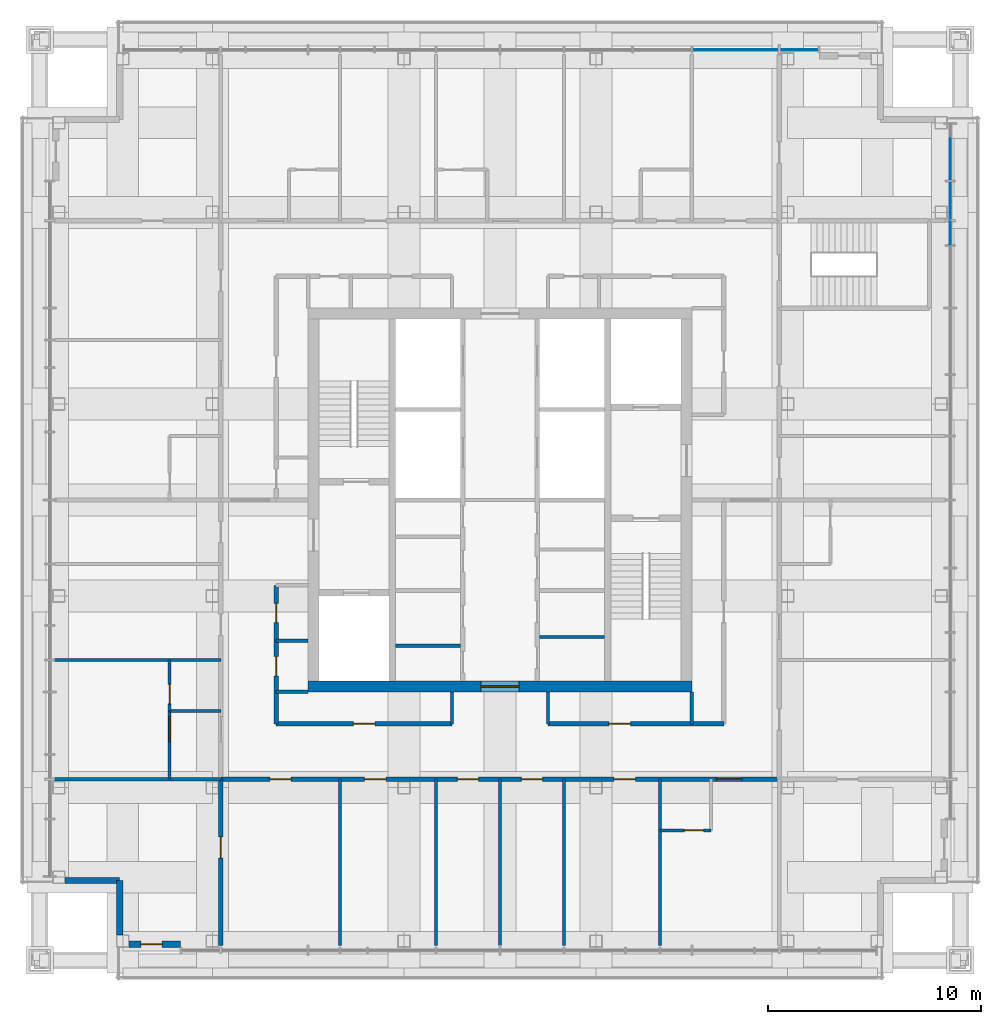
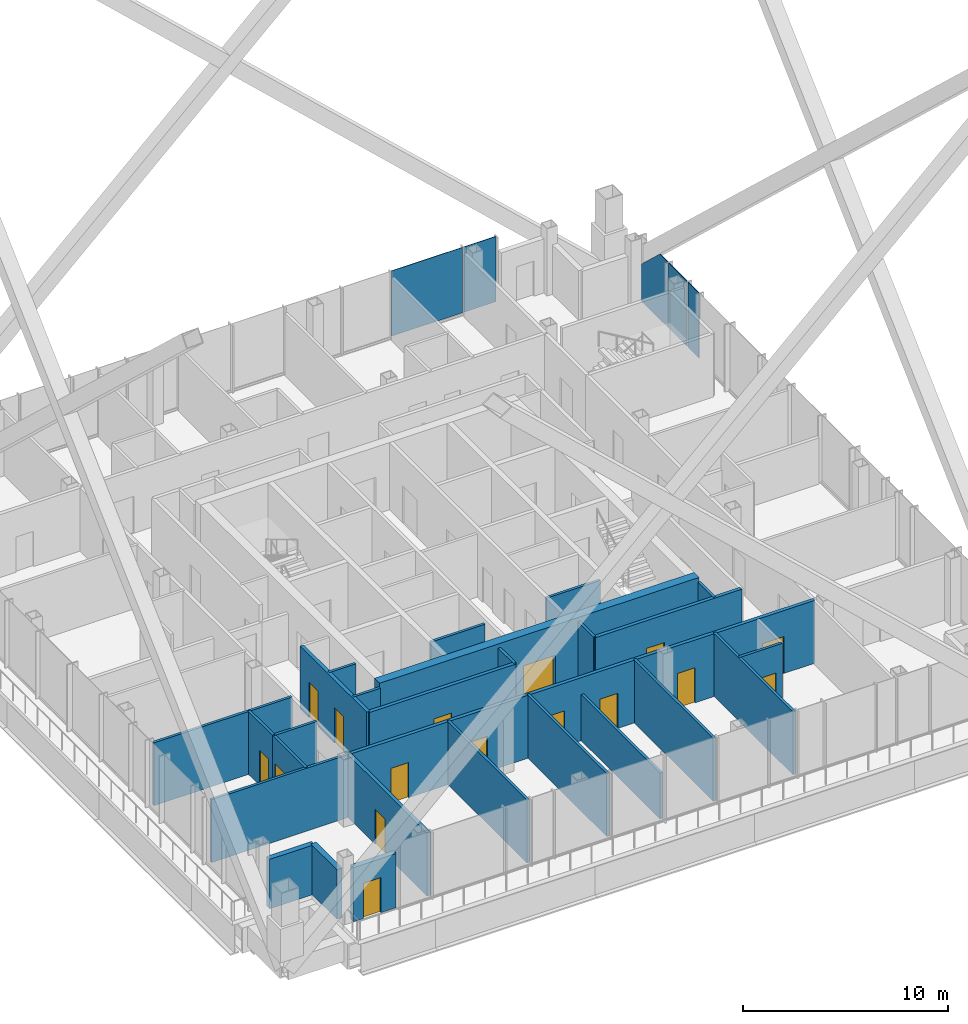
# One storey, part 12 of 19: 27 walls, 16 doors, 5 plates, 16 openings, 2 elements without a shape of their own.
"""IFC4 building model written with IfcOpenShell, lengths in metres."""

from ifc_helpers import new_model, si_unit, direction, frame, frame_2d, origin, origin_2d, place, context, subcontext, project, spatial, polyline, rectangle, outline, extrude, material, layer, layer_set, type_object, element, fill, aggregate, save


model = new_model("IFC4")

# Units and contexts
model_context = context("Model", 3, precision=1e-05, world=origin(), true_north=direction((0.0, 1.0)))
body_context = subcontext(model_context, "Body", "Model", "MODEL_VIEW")
ifc_project = project(units=[si_unit("LENGTHUNIT", "METRE"), si_unit("AREAUNIT", "SQUARE_METRE"), si_unit("VOLUMEUNIT", "CUBIC_METRE"), si_unit("PLANEANGLEUNIT", "RADIAN"), si_unit("MASSUNIT", "GRAM", prefix="KILO")], contexts=[model_context])

# Site, building, storey
site_placement = place(None, origin())
site = spatial("IfcSite", under=ifc_project, at=site_placement, CompositionType="ELEMENT")
building_placement = place(site_placement, origin())
building = spatial("IfcBuilding", under=site, at=building_placement, Name="Malebo Sky Hospital", CompositionType="ELEMENT")
storey_placement = place(building_placement, frame((0.0, 0.0, 250.0)))
storey = spatial("IfcBuildingStorey", under=building, at=storey_placement, Name="L60", CompositionType="ELEMENT", Elevation=250.0)

# Curtain wall, plates
ifc_material_1 = material(Name="Anodised aluminium, natural silver", Category="aluminium")
ifc_layer_1 = layer(ifc_material_1, 0.25)
ifc_layer_set_1 = layer_set([ifc_layer_1], Name="WARD CURTAIN WALL NORTH AND SOUTH")
curtain_wall_type_1 = type_object("IfcCurtainWallType", Name="WARD CURTAIN WALL NORTH AND SOUTH", PredefinedType="NOTDEFINED", material=ifc_layer_set_1)
curtain_wall_1_placement = place(storey_placement, origin())
curtain_wall_1 = element("IfcCurtainWall", 1, at=curtain_wall_1_placement, inside=storey, type_object=curtain_wall_type_1, Name="NS curtain wall N", PredefinedType="NOTDEFINED")
ifc_material_2 = material(Name="Clear low-iron double glazing", Category="glass")
ifc_layer_2 = layer(ifc_material_2, 0.031982421875)
ifc_layer_set_2 = layer_set([ifc_layer_2], Name="VISION PANEL CLEAR 32")
plate_type = type_object("IfcPlateType", Name="VISION PANEL CLEAR 32", PredefinedType="CURTAIN_PANEL", material=ifc_layer_set_2)
plate_1_placement = place(storey_placement, frame((71.050048828125, 83.125, 0.10009765625), z_axis=(0.0, 0.0, 1.0), x_axis=(1.0, 0.0, 0.0)))
plate_1 = element("IfcPlate", 2, at=plate_1_placement, type_object=plate_type, Name="Panel 12", PredefinedType="CURTAIN_PANEL", context=body_context, shape_type="SweptSolid", body=[
    extrude(rectangle(XDim=4.02490234375, YDim=0.031982421875, at=origin_2d()), origin(), (0.0, 0.0, 1.0), 3.889892578125),
])
plate_2_placement = place(storey_placement, frame((74.03125, 83.125, 0.10009765625), z_axis=(0.0, 0.0, 1.0), x_axis=(1.0, 0.0, 0.0)))
plate_2 = element("IfcPlate", 3, at=plate_2_placement, type_object=plate_type, Name="Panel 13", PredefinedType="CURTAIN_PANEL", context=body_context, shape_type="SweptSolid", body=[
    extrude(rectangle(XDim=1.78759765625, YDim=0.031982421875, at=origin_2d()), origin(), (0.0, 0.0, 1.0), 3.889892578125),
])
aggregate(curtain_wall_1, [plate_1, plate_2])

ifc_layer_3 = layer(ifc_material_1, 0.25)
ifc_layer_set_3 = layer_set([ifc_layer_3], Name="WARD CURTAIN WALL EAST AND WEST")
curtain_wall_type_2 = type_object("IfcCurtainWallType", Name="WARD CURTAIN WALL EAST AND WEST", PredefinedType="NOTDEFINED", material=ifc_layer_set_3)
curtain_wall_2_placement = place(storey_placement, origin())
curtain_wall_2 = element("IfcCurtainWall", 4, at=curtain_wall_2_placement, inside=storey, type_object=curtain_wall_type_2, Name="EW curtain wall E", PredefinedType="NOTDEFINED")
plate_3_placement = place(storey_placement, frame((81.125, 78.317626953125, 0.10009765625), z_axis=(0.0, 0.0, 1.0), x_axis=(0.0, -1.0, 0.0)))
plate_3 = element("IfcPlate", 5, at=plate_3_placement, type_object=plate_type, Name="Panel 1", PredefinedType="CURTAIN_PANEL", context=body_context, shape_type="SweptSolid", body=[
    extrude(outline(polyline([(-1.307373046875, 0.0), (1.307373046875, 0.0), (1.307373046875, 3.889892578125), (0.50927734375, 3.889892578125), (-1.307373046875, 2.18896484375), (-1.307373046875, 0.0)])), frame((0.0, 0.01611328125, 0.0), z_axis=(0.0, -1.0, 0.0), x_axis=(1.0, 0.0, 0.0)), (0.0, 0.0, 1.0), 0.031982421875),
])
plate_4_placement = place(storey_placement, frame((81.125, 76.036376953125, 0.10009765625), z_axis=(0.0, 0.0, 1.0), x_axis=(0.0, -1.0, 0.0)))
plate_4 = element("IfcPlate", 6, at=plate_4_placement, type_object=plate_type, Name="Panel 2", PredefinedType="CURTAIN_PANEL", context=body_context, shape_type="SweptSolid", body=[
    extrude(rectangle(XDim=1.797607421875, YDim=0.031982421875, at=origin_2d()), origin(), (0.0, 0.0, 1.0), 3.889892578125),
])
plate_5_placement = place(storey_placement, frame((81.125, 74.522705078125, 0.10009765625), z_axis=(0.0, 0.0, 1.0), x_axis=(0.0, -1.0, 0.0)))
plate_5 = element("IfcPlate", 7, at=plate_5_placement, type_object=plate_type, Name="Panel 3", PredefinedType="CURTAIN_PANEL", context=body_context, shape_type="SweptSolid", body=[
    extrude(rectangle(XDim=1.07958984375, YDim=0.031982421875, at=origin_2d()), origin(), (0.0, 0.0, 1.0), 3.889892578125),
])
aggregate(curtain_wall_2, [plate_3, plate_4, plate_5])

# Wall, opening, door
ifc_material_3 = material(Name="Concrete C80/95", Category="concrete")
ifc_layer_4 = layer(ifc_material_3, 0.5)
ifc_layer_set_4 = layer_set([ifc_layer_4], Name="CORE WALL 500")
wall_type_1 = type_object("IfcWallType", Name="CORE WALL 500", PredefinedType="SHEAR", material=ifc_layer_set_4)
wall_1_placement = place(storey_placement, frame((51.0, 53.25, 0.0), z_axis=(0.0, 0.0, 1.0), x_axis=(1.0, 0.0, 0.0)))
wall_1 = element("IfcWall", 8, at=wall_1_placement, inside=storey, type_object=wall_type_1, Name="Core wall S L60", PredefinedType="SHEAR", context=body_context, shape_type="SweptSolid", body=[
    extrude(rectangle(XDim=18.0, YDim=0.5, at=frame_2d((9.0, 0.0))), origin(), (0.0, 0.0, 1.0), 4.0),
])
opening_1_placement = place(wall_1_placement, frame((8.10009765625, 0.0, 0.0)))
opening_1 = element("IfcOpeningElement", 9, at=opening_1_placement, cuts=wall_1, Name="Opening D06", PredefinedType="OPENING", context=body_context, shape_type="SweptSolid", body=[
    extrude(rectangle(XDim=1.800048828125, YDim=2.199951171875, at=frame_2d((0.89990234375, 1.10009765625))), frame((0.0, 0.260009765625, 0.0), z_axis=(0.0, -1.0, 0.0), x_axis=(1.0, 0.0, 0.0)), (0.0, 0.0, 1.0), 0.52001953125),
])
ifc_material_4 = material(Name="Hardwood-faced door leaf in steel frame", Category="steel")
door_type_1 = type_object("IfcDoorType", Name="LOBBY DOOR PAIR 1800", OperationType="DOUBLE_DOOR_SINGLE_SWING", PredefinedType="DOOR", material=ifc_material_4)
door_1_placement = place(opening_1_placement, origin())
door_1 = element("IfcDoor", 10, at=door_1_placement, inside=storey, type_object=door_type_1, Name="Service lobby door south", OperationType="DOUBLE_DOOR_SINGLE_SWING", OverallHeight=2.199951171875, OverallWidth=1.800048828125, PredefinedType="DOOR", context=body_context, shape_type="SweptSolid", body=[
    extrude(rectangle(XDim=1.800048828125, YDim=2.199951171875, at=frame_2d((0.89990234375, 1.10009765625))), frame((0.0, 0.02490234375, 0.0), z_axis=(0.0, -1.0, 0.0), x_axis=(1.0, 0.0, 0.0)), (0.0, 0.0, 1.0), 0.050048828125),
])
fill(opening_1, door_1)

# Wall, openings, doors
ifc_material_5 = material(Name="Gypsum board on steel studs", Category="steel")
ifc_layer_5 = layer(ifc_material_5, 0.199951171875)
ifc_layer_set_5 = layer_set([ifc_layer_5], Name="CORRIDOR WALL 200")
wall_type_2 = type_object("IfcWallType", Name="CORRIDOR WALL 200", PredefinedType="PARTITIONING", material=ifc_layer_set_5)
wall_2_placement = place(storey_placement, frame((49.5, 51.5, 0.0), z_axis=(0.0, 0.0, 1.0), x_axis=(0.0, 1.0, 0.0)))
wall_2 = element("IfcWall", 11, at=wall_2_placement, inside=storey, type_object=wall_type_2, Name="Corridor Wall 200 WCI1", PredefinedType="PARTITIONING", context=body_context, shape_type="SweptSolid", body=[
    extrude(rectangle(XDim=6.5, YDim=0.199951171875, at=frame_2d((3.25, 0.0))), origin(), (0.0, 0.0, 1.0), 3.75),
])
opening_2_placement = place(wall_2_placement, frame((2.25, 0.0, 0.0)))
opening_2 = element("IfcOpeningElement", 12, at=opening_2_placement, cuts=wall_2, Name="Opening D04", PredefinedType="OPENING", context=body_context, shape_type="SweptSolid", body=[
    extrude(rectangle(XDim=0.89990234375, YDim=2.10009765625, at=frame_2d((0.449951171875, 1.050048828125))), frame((0.0, 0.10986328125, 0.0), z_axis=(0.0, -1.0, 0.0), x_axis=(1.0, 0.0, 0.0)), (0.0, 0.0, 1.0), 0.219970703125),
])
opening_3_placement = place(wall_2_placement, frame((4.75, 0.0, 0.0)))
opening_3 = element("IfcOpeningElement", 13, at=opening_3_placement, cuts=wall_2, Name="Opening D04", PredefinedType="OPENING", context=body_context, shape_type="SweptSolid", body=[
    extrude(rectangle(XDim=0.89990234375, YDim=2.10009765625, at=frame_2d((0.449951171875, 1.050048828125))), frame((0.0, 0.10986328125, 0.0), z_axis=(0.0, -1.0, 0.0), x_axis=(1.0, 0.0, 0.0)), (0.0, 0.0, 1.0), 0.219970703125),
])
door_type_2 = type_object("IfcDoorType", Name="ROOM DOOR 900", OperationType="SINGLE_SWING_LEFT", PredefinedType="DOOR", material=ifc_material_4)
door_2_placement = place(opening_2_placement, origin())
door_2 = element("IfcDoor", 14, at=door_2_placement, inside=storey, type_object=door_type_2, Name="Communications room door", OperationType="SINGLE_SWING_LEFT", OverallHeight=2.10009765625, OverallWidth=0.89990234375, PredefinedType="DOOR", context=body_context, shape_type="SweptSolid", body=[
    extrude(rectangle(XDim=0.89990234375, YDim=2.10009765625, at=frame_2d((0.449951171875, 1.050048828125))), frame((0.0, 0.02490234375, 0.0), z_axis=(0.0, -1.0, 0.0), x_axis=(1.0, 0.0, 0.0)), (0.0, 0.0, 1.0), 0.050048828125),
])
fill(opening_2, door_2)
door_3_placement = place(opening_3_placement, origin())
door_3 = element("IfcDoor", 15, at=door_3_placement, inside=storey, type_object=door_type_2, Name="Equipment store door", OperationType="SINGLE_SWING_LEFT", OverallHeight=2.10009765625, OverallWidth=0.89990234375, PredefinedType="DOOR", context=body_context, shape_type="SweptSolid", body=[
    extrude(rectangle(XDim=0.89990234375, YDim=2.10009765625, at=frame_2d((0.449951171875, 1.050048828125))), frame((0.0, 0.02490234375, 0.0), z_axis=(0.0, -1.0, 0.0), x_axis=(1.0, 0.0, 0.0)), (0.0, 0.0, 1.0), 0.050048828125),
])
fill(opening_3, door_3)

wall_3_placement = place(storey_placement, frame((73.10009765625, 48.89990234375, 0.0), z_axis=(0.0, 0.0, 1.0), x_axis=(-1.0, 0.0, 0.0)))
wall_3 = element("IfcWall", 16, at=wall_3_placement, inside=storey, type_object=wall_type_2, Name="Corridor Wall 200 SCO", PredefinedType="PARTITIONING", context=body_context, shape_type="SweptSolid", body=[
    extrude(rectangle(XDim=26.2001953125, YDim=0.199951171875, at=frame_2d((13.10009765625, 0.0))), origin(), (0.0, 0.0, 1.0), 3.75),
])
opening_4_placement = place(wall_3_placement, frame((1.75, 0.0, 0.0)))
opening_4 = element("IfcOpeningElement", 17, at=opening_4_placement, cuts=wall_3, Name="Opening D01", PredefinedType="OPENING", context=body_context, shape_type="SweptSolid", body=[
    extrude(rectangle(XDim=1.199951171875, YDim=2.199951171875, at=frame_2d((0.60009765625, 1.10009765625))), frame((0.0, 0.10986328125, 0.0), z_axis=(0.0, -1.0, 0.0), x_axis=(1.0, 0.0, 0.0)), (0.0, 0.0, 1.0), 0.219970703125),
])
opening_5_placement = place(wall_3_placement, frame((6.75, 0.0, 0.0)))
opening_5 = element("IfcOpeningElement", 18, at=opening_5_placement, cuts=wall_3, Name="Opening D03", PredefinedType="OPENING", context=body_context, shape_type="SweptSolid", body=[
    extrude(rectangle(XDim=1.0, YDim=2.10009765625, at=frame_2d((0.5, 1.050048828125))), frame((0.0, 0.10986328125, 0.0), z_axis=(0.0, -1.0, 0.0), x_axis=(1.0, 0.0, 0.0)), (0.0, 0.0, 1.0), 0.219970703125),
])
opening_6_placement = place(wall_3_placement, frame((11.10009765625, 0.0, 0.0)))
opening_6 = element("IfcOpeningElement", 19, at=opening_6_placement, cuts=wall_3, Name="Opening D03", PredefinedType="OPENING", context=body_context, shape_type="SweptSolid", body=[
    extrude(rectangle(XDim=1.0, YDim=2.10009765625, at=frame_2d((0.5, 1.050048828125))), frame((0.0, 0.10986328125, 0.0), z_axis=(0.0, -1.0, 0.0), x_axis=(1.0, 0.0, 0.0)), (0.0, 0.0, 1.0), 0.219970703125),
])
opening_7_placement = place(wall_3_placement, frame((14.10009765625, 0.0, 0.0)))
opening_7 = element("IfcOpeningElement", 20, at=opening_7_placement, cuts=wall_3, Name="Opening D03", PredefinedType="OPENING", context=body_context, shape_type="SweptSolid", body=[
    extrude(rectangle(XDim=1.0, YDim=2.10009765625, at=frame_2d((0.5, 1.050048828125))), frame((0.0, 0.10986328125, 0.0), z_axis=(0.0, -1.0, 0.0), x_axis=(1.0, 0.0, 0.0)), (0.0, 0.0, 1.0), 0.219970703125),
])
opening_8_placement = place(wall_3_placement, frame((18.449951171875, 0.0, 0.0)))
opening_8 = element("IfcOpeningElement", 21, at=opening_8_placement, cuts=wall_3, Name="Opening D03", PredefinedType="OPENING", context=body_context, shape_type="SweptSolid", body=[
    extrude(rectangle(XDim=1.0, YDim=2.10009765625, at=frame_2d((0.5, 1.050048828125))), frame((0.0, 0.10986328125, 0.0), z_axis=(0.0, -1.0, 0.0), x_axis=(1.0, 0.0, 0.0)), (0.0, 0.0, 1.0), 0.219970703125),
])
opening_9_placement = place(wall_3_placement, frame((22.89990234375, 0.0, 0.0)))
opening_9 = element("IfcOpeningElement", 22, at=opening_9_placement, cuts=wall_3, Name="Opening D17", PredefinedType="OPENING", context=body_context, shape_type="SweptSolid", body=[
    extrude(rectangle(XDim=1.0, YDim=2.10009765625, at=frame_2d((0.5, 1.050048828125))), frame((0.0, 0.10986328125, 0.0), z_axis=(0.0, -1.0, 0.0), x_axis=(1.0, 0.0, 0.0)), (0.0, 0.0, 1.0), 0.219970703125),
])
door_type_3 = type_object("IfcDoorType", Name="BED DOOR 1200", OperationType="SINGLE_SWING_LEFT", PredefinedType="DOOR", material=ifc_material_4)
door_4_placement = place(opening_4_placement, origin())
door_4 = element("IfcDoor", 23, at=door_4_placement, inside=storey, type_object=door_type_3, Name="Single bed room door", OperationType="SINGLE_SWING_RIGHT", OverallHeight=2.199951171875, OverallWidth=1.199951171875, PredefinedType="DOOR", context=body_context, shape_type="SweptSolid", body=[
    extrude(rectangle(XDim=1.199951171875, YDim=2.199951171875, at=frame_2d((0.60009765625, 1.10009765625))), frame((0.0, 0.02490234375, 0.0), z_axis=(0.0, -1.0, 0.0), x_axis=(1.0, 0.0, 0.0)), (0.0, 0.0, 1.0), 0.050048828125),
])
fill(opening_4, door_4)
door_type_4 = type_object("IfcDoorType", Name="FIRE DOOR 1000", OperationType="SINGLE_SWING_LEFT", PredefinedType="DOOR", material=ifc_material_4)
door_5_placement = place(opening_9_placement, origin())
door_5 = element("IfcDoor", 24, at=door_5_placement, inside=storey, type_object=door_type_4, Name="Facade access lobby door", OperationType="SINGLE_SWING_RIGHT", OverallHeight=2.10009765625, OverallWidth=1.0, PredefinedType="DOOR", context=body_context, shape_type="SweptSolid", body=[
    extrude(rectangle(XDim=1.0, YDim=2.10009765625, at=frame_2d((0.5, 1.050048828125))), frame((0.0, 0.02490234375, 0.0), z_axis=(0.0, -1.0, 0.0), x_axis=(1.0, 0.0, 0.0)), (0.0, 0.0, 1.0), 0.050048828125),
])
fill(opening_9, door_5)
door_type_5 = type_object("IfcDoorType", Name="ROOM DOOR 1000", OperationType="SINGLE_SWING_LEFT", PredefinedType="DOOR", material=ifc_material_4)
door_6_placement = place(opening_5_placement, origin())
door_6 = element("IfcDoor", 25, at=door_6_placement, inside=storey, type_object=door_type_5, Name="Clean utility room door", OperationType="SINGLE_SWING_LEFT", OverallHeight=2.10009765625, OverallWidth=1.0, PredefinedType="DOOR", context=body_context, shape_type="SweptSolid", body=[
    extrude(rectangle(XDim=1.0, YDim=2.10009765625, at=frame_2d((0.5, 1.050048828125))), frame((0.0, 0.02490234375, 0.0), z_axis=(0.0, -1.0, 0.0), x_axis=(1.0, 0.0, 0.0)), (0.0, 0.0, 1.0), 0.050048828125),
])
fill(opening_5, door_6)
door_7_placement = place(opening_6_placement, origin())
door_7 = element("IfcDoor", 26, at=door_7_placement, inside=storey, type_object=door_type_5, Name="Dirty utility room door", OperationType="SINGLE_SWING_LEFT", OverallHeight=2.10009765625, OverallWidth=1.0, PredefinedType="DOOR", context=body_context, shape_type="SweptSolid", body=[
    extrude(rectangle(XDim=1.0, YDim=2.10009765625, at=frame_2d((0.5, 1.050048828125))), frame((0.0, 0.02490234375, 0.0), z_axis=(0.0, -1.0, 0.0), x_axis=(1.0, 0.0, 0.0)), (0.0, 0.0, 1.0), 0.050048828125),
])
fill(opening_6, door_7)
door_8_placement = place(opening_7_placement, origin())
door_8 = element("IfcDoor", 27, at=door_8_placement, inside=storey, type_object=door_type_5, Name="Ward pantry door", OperationType="SINGLE_SWING_LEFT", OverallHeight=2.10009765625, OverallWidth=1.0, PredefinedType="DOOR", context=body_context, shape_type="SweptSolid", body=[
    extrude(rectangle(XDim=1.0, YDim=2.10009765625, at=frame_2d((0.5, 1.050048828125))), frame((0.0, 0.02490234375, 0.0), z_axis=(0.0, -1.0, 0.0), x_axis=(1.0, 0.0, 0.0)), (0.0, 0.0, 1.0), 0.050048828125),
])
fill(opening_7, door_8)
door_9_placement = place(opening_8_placement, origin())
door_9 = element("IfcDoor", 28, at=door_9_placement, inside=storey, type_object=door_type_5, Name="Equipment store door", OperationType="SINGLE_SWING_RIGHT", OverallHeight=2.10009765625, OverallWidth=1.0, PredefinedType="DOOR", context=body_context, shape_type="SweptSolid", body=[
    extrude(rectangle(XDim=1.0, YDim=2.10009765625, at=frame_2d((0.5, 1.050048828125))), frame((0.0, 0.02490234375, 0.0), z_axis=(0.0, -1.0, 0.0), x_axis=(1.0, 0.0, 0.0)), (0.0, 0.0, 1.0), 0.050048828125),
])
fill(opening_8, door_9)

# Wall, opening, door
wall_4_placement = place(storey_placement, frame((46.89990234375, 48.89990234375, 0.0), z_axis=(0.0, 0.0, 1.0), x_axis=(0.0, -1.0, 0.0)))
wall_4 = element("IfcWall", 29, at=wall_4_placement, inside=storey, type_object=wall_type_2, Name="Corridor Wall 200 SK", PredefinedType="PARTITIONING", context=body_context, shape_type="SweptSolid", body=[
    extrude(rectangle(XDim=7.7998046875, YDim=0.199951171875, at=frame_2d((3.89990234375, 0.0))), origin(), (0.0, 0.0, 1.0), 3.75),
])
opening_10_placement = place(wall_4_placement, frame((2.699951171875, 0.0, 0.0)))
opening_10 = element("IfcOpeningElement", 30, at=opening_10_placement, cuts=wall_4, Name="Opening D17", PredefinedType="OPENING", context=body_context, shape_type="SweptSolid", body=[
    extrude(rectangle(XDim=1.0, YDim=2.10009765625, at=frame_2d((0.5, 1.050048828125))), frame((0.0, 0.10986328125, 0.0), z_axis=(0.0, -1.0, 0.0), x_axis=(1.0, 0.0, 0.0)), (0.0, 0.0, 1.0), 0.219970703125),
])
door_10_placement = place(opening_10_placement, origin())
door_10 = element("IfcDoor", 31, at=door_10_placement, inside=storey, type_object=door_type_4, Name="Facade maintenance store door", OperationType="SINGLE_SWING_LEFT", OverallHeight=2.10009765625, OverallWidth=1.0, PredefinedType="DOOR", context=body_context, shape_type="SweptSolid", body=[
    extrude(rectangle(XDim=1.0, YDim=2.10009765625, at=frame_2d((0.5, 1.050048828125))), frame((0.0, 0.02490234375, 0.0), z_axis=(0.0, -1.0, 0.0), x_axis=(1.0, 0.0, 0.0)), (0.0, 0.0, 1.0), 0.050048828125),
])
fill(opening_10, door_10)

wall_5_placement = place(storey_placement, frame((70.5, 51.5, 0.0), z_axis=(0.0, 0.0, 1.0), x_axis=(-1.0, 0.0, 0.0)))
wall_5 = element("IfcWall", 32, at=wall_5_placement, inside=storey, type_object=wall_type_2, Name="Corridor Wall 200 SCI1", PredefinedType="PARTITIONING", context=body_context, shape_type="SweptSolid", body=[
    extrude(rectangle(XDim=8.25, YDim=0.199951171875, at=frame_2d((4.125, 0.0))), origin(), (0.0, 0.0, 1.0), 3.75),
])
opening_11_placement = place(wall_5_placement, frame((4.375, 0.0, 0.0)))
opening_11 = element("IfcOpeningElement", 33, at=opening_11_placement, cuts=wall_5, Name="Opening D03", PredefinedType="OPENING", context=body_context, shape_type="SweptSolid", body=[
    extrude(rectangle(XDim=1.0, YDim=2.10009765625, at=frame_2d((0.5, 1.050048828125))), frame((0.0, 0.10986328125, 0.0), z_axis=(0.0, -1.0, 0.0), x_axis=(1.0, 0.0, 0.0)), (0.0, 0.0, 1.0), 0.219970703125),
])
door_11_placement = place(opening_11_placement, origin())
door_11 = element("IfcDoor", 34, at=door_11_placement, inside=storey, type_object=door_type_5, Name="Chemotherapy spill kit store door", OperationType="SINGLE_SWING_LEFT", OverallHeight=2.10009765625, OverallWidth=1.0, PredefinedType="DOOR", context=body_context, shape_type="SweptSolid", body=[
    extrude(rectangle(XDim=1.0, YDim=2.10009765625, at=frame_2d((0.5, 1.050048828125))), frame((0.0, 0.02490234375, 0.0), z_axis=(0.0, -1.0, 0.0), x_axis=(1.0, 0.0, 0.0)), (0.0, 0.0, 1.0), 0.050048828125),
])
fill(opening_11, door_11)

wall_6_placement = place(storey_placement, frame((57.75, 51.5, 0.0), z_axis=(0.0, 0.0, 1.0), x_axis=(-1.0, 0.0, 0.0)))
wall_6 = element("IfcWall", 35, at=wall_6_placement, inside=storey, type_object=wall_type_2, Name="Corridor Wall 200 SCI2", PredefinedType="PARTITIONING", context=body_context, shape_type="SweptSolid", body=[
    extrude(rectangle(XDim=8.25, YDim=0.199951171875, at=frame_2d((4.125, 0.0))), origin(), (0.0, 0.0, 1.0), 3.75),
])
opening_12_placement = place(wall_6_placement, frame((3.625, 0.0, 0.0)))
opening_12 = element("IfcOpeningElement", 36, at=opening_12_placement, cuts=wall_6, Name="Opening D03", PredefinedType="OPENING", context=body_context, shape_type="SweptSolid", body=[
    extrude(rectangle(XDim=1.0, YDim=2.10009765625, at=frame_2d((0.5, 1.050048828125))), frame((0.0, 0.10986328125, 0.0), z_axis=(0.0, -1.0, 0.0), x_axis=(1.0, 0.0, 0.0)), (0.0, 0.0, 1.0), 0.219970703125),
])
door_12_placement = place(opening_12_placement, origin())
door_12 = element("IfcDoor", 37, at=door_12_placement, inside=storey, type_object=door_type_5, Name="Mobile equipment store door", OperationType="SINGLE_SWING_RIGHT", OverallHeight=2.10009765625, OverallWidth=1.0, PredefinedType="DOOR", context=body_context, shape_type="SweptSolid", body=[
    extrude(rectangle(XDim=1.0, YDim=2.10009765625, at=frame_2d((0.5, 1.050048828125))), frame((0.0, 0.02490234375, 0.0), z_axis=(0.0, -1.0, 0.0), x_axis=(1.0, 0.0, 0.0)), (0.0, 0.0, 1.0), 0.050048828125),
])
fill(opening_12, door_12)

ifc_material_6 = material(Name="Anodised aluminium rainscreen on steel framing", Category="steel")
ifc_layer_6 = layer(ifc_material_6, 0.300048828125)
ifc_layer_set_6 = layer_set([ifc_layer_6], Name="NOTCH RAINSCREEN WALL 300")
wall_type_3 = type_object("IfcWallType", Name="NOTCH RAINSCREEN WALL 300", PredefinedType="ELEMENTEDWALL", material=ifc_layer_set_6)
wall_7_placement = place(storey_placement, frame((45.0, 41.14990234375, 0.0), z_axis=(0.0, 0.0, 1.0), x_axis=(-1.0, 0.0, 0.0)))
wall_7 = element("IfcWall", 38, at=wall_7_placement, inside=storey, type_object=wall_type_3, Name="Rainscreen panel at maintenance door L60", PredefinedType="ELEMENTEDWALL", context=body_context, shape_type="SweptSolid", body=[
    extrude(rectangle(XDim=2.39990234375, YDim=0.300048828125, at=frame_2d((1.199951171875, 0.0))), origin(), (0.0, 0.0, 1.0), 3.22607421875),
])
opening_13_placement = place(wall_7_placement, frame((0.85009765625, 0.0, 0.0)))
opening_13 = element("IfcOpeningElement", 39, at=opening_13_placement, cuts=wall_7, Name="Opening D30", PredefinedType="OPENING", context=body_context, shape_type="SweptSolid", body=[
    extrude(rectangle(XDim=1.0, YDim=2.10009765625, at=frame_2d((0.5, 1.050048828125))), frame((0.0, 0.159912109375, 0.0), z_axis=(0.0, -1.0, 0.0), x_axis=(1.0, 0.0, 0.0)), (0.0, 0.0, 1.0), 0.320068359375),
])
ifc_material_7 = material(Name="Galvanised steel weathertight door leaf in steel frame", Category="steel")
door_type_6 = type_object("IfcDoorType", Name="MAINTENANCE ACCESS DOOR 1000", OperationType="SINGLE_SWING_LEFT", PredefinedType="DOOR", material=ifc_material_7)
door_13_placement = place(opening_13_placement, frame((1.0, 0.0, 0.0), z_axis=(0.0, 0.0, 1.0), x_axis=(-1.0, 0.0, 0.0)))
door_13 = element("IfcDoor", 40, at=door_13_placement, inside=storey, type_object=door_type_6, Name="Maintenance access door to roof", OperationType="SINGLE_SWING_RIGHT", OverallHeight=2.10009765625, OverallWidth=1.0, PredefinedType="DOOR", context=body_context, shape_type="SweptSolid", body=[
    extrude(rectangle(XDim=1.0, YDim=2.10009765625, at=frame_2d((0.5, 1.050048828125))), frame((0.0, 0.02490234375, 0.0), z_axis=(0.0, -1.0, 0.0), x_axis=(1.0, 0.0, 0.0)), (0.0, 0.0, 1.0), 0.050048828125),
])
fill(opening_13, door_13)

# Walls
for number, where, z_axis, x_axis, name in (
    (41, (42.14990234375, 41.60009765625, 0.0), (0.0, 0.0, 1.0), (0.0, 1.0, 0.0), "Notch rainscreen wall S1 L60"),
    (42, (42.14990234375, 44.14990234375, 0.0), (0.0, 0.0, 1.0), (-1.0, 0.0, 0.0), "Notch rainscreen wall S2 L60"),
):
    element("IfcWall", number, at=place(storey_placement, frame(where, z_axis=z_axis, x_axis=x_axis)), inside=storey, type_object=wall_type_3, Name=name, PredefinedType="ELEMENTEDWALL", context=body_context, shape_type="SweptSolid", body=[
        extrude(rectangle(XDim=2.5498046875, YDim=0.300048828125, at=frame_2d((1.27490234375, 0.0))), origin(), (0.0, 0.0, 1.0), 2.949951171875),
    ])
ifc_layer_7 = layer(ifc_material_5, 0.14990234375)
ifc_layer_set_7 = layer_set([ifc_layer_7], Name="PARTITION 150")
wall_type_4 = type_object("IfcWallType", Name="PARTITION 150", PredefinedType="PARTITIONING", material=ifc_layer_set_7)
for number, where, z_axis, x_axis, name in (
    (43, (46.89990234375, 54.5, 0.0), (0.0, 0.0, 1.0), (-1.0, 0.0, 0.0), "Partition 150 WP-7.5"),
    (44, (46.89990234375, 48.89990234375, 0.0), (0.0, 0.0, 1.0), (-1.0, 0.0, 0.0), "Partition 150 WP0"),
):
    element("IfcWall", number, at=place(storey_placement, frame(where, z_axis=z_axis, x_axis=x_axis)), inside=storey, type_object=wall_type_4, Name=name, PredefinedType="PARTITIONING", context=body_context, shape_type="SweptSolid", body=[
        extrude(rectangle(XDim=7.7998046875, YDim=0.14990234375, at=frame_2d((3.89990234375, 0.0))), origin(), (0.0, 0.0, 1.0), 3.75),
    ])

# Wall, opening, door
wall_8_placement = place(storey_placement, frame((44.5, 52.10009765625, 0.0), z_axis=(0.0, 0.0, 1.0), x_axis=(0.0, 1.0, 0.0)))
wall_8 = element("IfcWall", 45, at=wall_8_placement, inside=storey, type_object=wall_type_4, Name="Partition 150 WE0F", PredefinedType="PARTITIONING", context=body_context, shape_type="SweptSolid", body=[
    extrude(rectangle(XDim=2.39990234375, YDim=0.14990234375, at=frame_2d((1.199951171875, 0.0))), origin(), (0.0, 0.0, 1.0), 3.75),
])
opening_14_placement = place(wall_8_placement, frame((0.35009765625, 0.0, 0.0)))
opening_14 = element("IfcOpeningElement", 46, at=opening_14_placement, cuts=wall_8, Name="Opening D02", PredefinedType="OPENING", context=body_context, shape_type="SweptSolid", body=[
    extrude(rectangle(XDim=0.89990234375, YDim=2.10009765625, at=frame_2d((0.449951171875, 1.050048828125))), frame((0.0, 0.0849609375, 0.0), z_axis=(0.0, -1.0, 0.0), x_axis=(1.0, 0.0, 0.0)), (0.0, 0.0, 1.0), 0.169921875),
])
door_type_7 = type_object("IfcDoorType", Name="EN-SUITE DOOR 900", OperationType="SINGLE_SWING_LEFT", PredefinedType="DOOR", material=ifc_material_4)
door_14_placement = place(opening_14_placement, origin())
door_14 = element("IfcDoor", 47, at=door_14_placement, inside=storey, type_object=door_type_7, Name="En-suite door", OperationType="SINGLE_SWING_LEFT", OverallHeight=2.10009765625, OverallWidth=0.89990234375, PredefinedType="DOOR", context=body_context, shape_type="SweptSolid", body=[
    extrude(rectangle(XDim=0.89990234375, YDim=2.10009765625, at=frame_2d((0.449951171875, 1.050048828125))), frame((0.0, 0.02490234375, 0.0), z_axis=(0.0, -1.0, 0.0), x_axis=(1.0, 0.0, 0.0)), (0.0, 0.0, 1.0), 0.050048828125),
])
fill(opening_14, door_14)

# Walls
wall_9_placement = place(storey_placement, frame((46.89990234375, 52.10009765625, 0.0), z_axis=(0.0, 0.0, 1.0), x_axis=(-1.0, 0.0, 0.0)))
element("IfcWall", 48, at=wall_9_placement, inside=storey, type_object=wall_type_4, Name="Partition 150 WE0S", PredefinedType="PARTITIONING", context=body_context, shape_type="SweptSolid", body=[
    extrude(rectangle(XDim=2.39990234375, YDim=0.14990234375, at=frame_2d((1.199951171875, 0.0))), origin(), (0.0, 0.0, 1.0), 3.75),
])
for number, where, z_axis, x_axis, name in (
    (49, (51.0, 53.0, 0.0), (0.0, 0.0, 1.0), (-1.0, 0.0, 0.0), "Partition 150 WSP0"),
    (50, (51.0, 55.39990234375, 0.0), (0.0, 0.0, 1.0), (-1.0, 0.0, 0.0), "Partition 150 WSP-6.6"),
):
    element("IfcWall", number, at=place(storey_placement, frame(where, z_axis=z_axis, x_axis=x_axis)), inside=storey, type_object=wall_type_4, Name=name, PredefinedType="PARTITIONING", context=body_context, shape_type="SweptSolid", body=[
        extrude(rectangle(XDim=1.5, YDim=0.14990234375, at=frame_2d((0.75, 0.0))), origin(), (0.0, 0.0, 1.0), 3.75),
    ])
for number, where, z_axis, x_axis, name in (
    (51, (67.5, 48.89990234375, 0.0), (0.0, 0.0, 1.0), (0.0, -1.0, 0.0), "Partition 150 SP-7.5"),
    (52, (63.0, 48.89990234375, 0.0), (0.0, 0.0, 1.0), (0.0, -1.0, 0.0), "Partition 150 SP-3.0"),
):
    element("IfcWall", number, at=place(storey_placement, frame(where, z_axis=z_axis, x_axis=x_axis)), inside=storey, type_object=wall_type_4, Name=name, PredefinedType="PARTITIONING", context=body_context, shape_type="SweptSolid", body=[
        extrude(rectangle(XDim=7.7998046875, YDim=0.14990234375, at=frame_2d((3.89990234375, 0.0))), origin(), (0.0, 0.0, 1.0), 3.75),
    ])
wall_10_placement = place(storey_placement, frame((60.0, 48.89990234375, 0.0), z_axis=(0.0, 0.0, 1.0), x_axis=(0.0, -1.0, 0.0)))
element("IfcWall", 53, at=wall_10_placement, inside=storey, type_object=wall_type_4, Name="Partition 150 SP+0.0", PredefinedType="PARTITIONING", context=body_context, shape_type="SweptSolid", body=[
    extrude(rectangle(XDim=7.7998046875, YDim=0.14990234375, at=frame_2d((3.89990234375, 0.0))), origin(), (0.0, 0.0, 1.0), 2.75),
])
for number, where, z_axis, x_axis, name in (
    (54, (57.0, 48.89990234375, 0.0), (0.0, 0.0, 1.0), (0.0, -1.0, 0.0), "Partition 150 SP+3.0"),
    (55, (52.5, 48.89990234375, 0.0), (0.0, 0.0, 1.0), (0.0, -1.0, 0.0), "Partition 150 SP+7.5"),
):
    element("IfcWall", number, at=place(storey_placement, frame(where, z_axis=z_axis, x_axis=x_axis)), inside=storey, type_object=wall_type_4, Name=name, PredefinedType="PARTITIONING", context=body_context, shape_type="SweptSolid", body=[
        extrude(rectangle(XDim=7.7998046875, YDim=0.14990234375, at=frame_2d((3.89990234375, 0.0))), origin(), (0.0, 0.0, 1.0), 3.75),
    ])

# Wall, opening, door
wall_11_placement = place(storey_placement, frame((69.89990234375, 46.5, 0.0), z_axis=(0.0, 0.0, 1.0), x_axis=(-1.0, 0.0, 0.0)))
wall_11 = element("IfcWall", 56, at=wall_11_placement, inside=storey, type_object=wall_type_4, Name="Partition 150 SE0F", PredefinedType="PARTITIONING", context=body_context, shape_type="SweptSolid", body=[
    extrude(rectangle(XDim=2.39990234375, YDim=0.14990234375, at=frame_2d((1.199951171875, 0.0))), origin(), (0.0, 0.0, 1.0), 3.75),
])
opening_15_placement = place(wall_11_placement, frame((0.35009765625, 0.0, 0.0)))
opening_15 = element("IfcOpeningElement", 57, at=opening_15_placement, cuts=wall_11, Name="Opening D02", PredefinedType="OPENING", context=body_context, shape_type="SweptSolid", body=[
    extrude(rectangle(XDim=0.89990234375, YDim=2.10009765625, at=frame_2d((0.449951171875, 1.050048828125))), frame((0.0, 0.0849609375, 0.0), z_axis=(0.0, -1.0, 0.0), x_axis=(1.0, 0.0, 0.0)), (0.0, 0.0, 1.0), 0.169921875),
])
door_15_placement = place(opening_15_placement, origin())
door_15 = element("IfcDoor", 58, at=door_15_placement, inside=storey, type_object=door_type_7, Name="En-suite door", OperationType="SINGLE_SWING_LEFT", OverallHeight=2.10009765625, OverallWidth=0.89990234375, PredefinedType="DOOR", context=body_context, shape_type="SweptSolid", body=[
    extrude(rectangle(XDim=0.89990234375, YDim=2.10009765625, at=frame_2d((0.449951171875, 1.050048828125))), frame((0.0, 0.02490234375, 0.0), z_axis=(0.0, -1.0, 0.0), x_axis=(1.0, 0.0, 0.0)), (0.0, 0.0, 1.0), 0.050048828125),
])
fill(opening_15, door_15)

# Walls
for number, where, z_axis, x_axis, name in (
    (59, (69.0, 53.0, 0.0), (0.0, 0.0, 1.0), (0.0, -1.0, 0.0), "Partition 150 SSP0"),
    (60, (62.25, 53.0, 0.0), (0.0, 0.0, 1.0), (0.0, -1.0, 0.0), "Partition 150 SSPA"),
    (61, (57.75, 53.0, 0.0), (0.0, 0.0, 1.0), (0.0, -1.0, 0.0), "Partition 150 SSPB"),
):
    element("IfcWall", number, at=place(storey_placement, frame(where, z_axis=z_axis, x_axis=x_axis)), inside=storey, type_object=wall_type_4, Name=name, PredefinedType="PARTITIONING", context=body_context, shape_type="SweptSolid", body=[
        extrude(rectangle(XDim=1.5, YDim=0.14990234375, at=frame_2d((0.75, 0.0))), origin(), (0.0, 0.0, 1.0), 3.75),
    ])
for number, where, z_axis, x_axis, name in (
    (62, (55.10009765625, 55.159912109375, 0.0), (0.0, 0.0, 1.0), (1.0, 0.0, 0.0), "Partition 150 SHW1"),
    (63, (61.85009765625, 55.574951171875, 0.0), (0.0, 0.0, 1.0), (1.0, 0.0, 0.0), "Partition 150 SHE1"),
):
    element("IfcWall", number, at=place(storey_placement, frame(where, z_axis=z_axis, x_axis=x_axis)), inside=storey, type_object=wall_type_4, Name=name, PredefinedType="PARTITIONING", context=body_context, shape_type="SweptSolid", body=[
        extrude(rectangle(XDim=3.0498046875, YDim=0.14990234375, at=frame_2d((1.52490234375, 0.0))), origin(), (0.0, 0.0, 1.0), 3.75),
    ])

# Wall, opening, door
ifc_material_8 = material(Name="Sealed gypsum board on steel studs, taped to the slab", Category="steel")
ifc_layer_8 = layer(ifc_material_8, 0.14990234375)
ifc_layer_set_8 = layer_set([ifc_layer_8], Name="SEALED ISOLATION PARTITION 150")
wall_type_5 = type_object("IfcWallType", Name="SEALED ISOLATION PARTITION 150", PredefinedType="PARTITIONING", material=ifc_layer_set_8)
wall_12_placement = place(storey_placement, frame((44.5, 48.89990234375, 0.0), z_axis=(0.0, 0.0, 1.0), x_axis=(0.0, 1.0, 0.0)))
wall_12 = element("IfcWall", 64, at=wall_12_placement, inside=storey, type_object=wall_type_5, Name="Sealed Isolation Partition 150 WA0F", PredefinedType="PARTITIONING", context=body_context, shape_type="SweptSolid", body=[
    extrude(rectangle(XDim=3.2001953125, YDim=0.14990234375, at=frame_2d((1.60009765625, 0.0))), origin(), (0.0, 0.0, 1.0), 3.75),
])
opening_16_placement = place(wall_12_placement, frame((1.75, 0.0, 0.0)))
opening_16 = element("IfcOpeningElement", 65, at=opening_16_placement, cuts=wall_12, Name="Opening D19", PredefinedType="OPENING", context=body_context, shape_type="SweptSolid", body=[
    extrude(rectangle(XDim=1.199951171875, YDim=2.199951171875, at=frame_2d((0.60009765625, 1.10009765625))), frame((0.0, 0.0849609375, 0.0), z_axis=(0.0, -1.0, 0.0), x_axis=(1.0, 0.0, 0.0)), (0.0, 0.0, 1.0), 0.169921875),
])
ifc_material_9 = material(Name="Hardwood-faced door leaf with perimeter seals in steel frame", Category="steel")
door_type_8 = type_object("IfcDoorType", Name="SEALED ISOLATION ROOM DOOR 1200", OperationType="SINGLE_SWING_LEFT", PredefinedType="DOOR", material=ifc_material_9)
door_16_placement = place(opening_16_placement, origin())
door_16 = element("IfcDoor", 66, at=door_16_placement, inside=storey, type_object=door_type_8, Name="Isolation room door", OperationType="SINGLE_SWING_RIGHT", OverallHeight=2.199951171875, OverallWidth=1.199951171875, PredefinedType="DOOR", context=body_context, shape_type="SweptSolid", body=[
    extrude(rectangle(XDim=1.199951171875, YDim=2.199951171875, at=frame_2d((0.60009765625, 1.10009765625))), frame((0.0, 0.02490234375, 0.0), z_axis=(0.0, -1.0, 0.0), x_axis=(1.0, 0.0, 0.0)), (0.0, 0.0, 1.0), 0.050048828125),
])
fill(opening_16, door_16)

save(model, "model.ifc")
